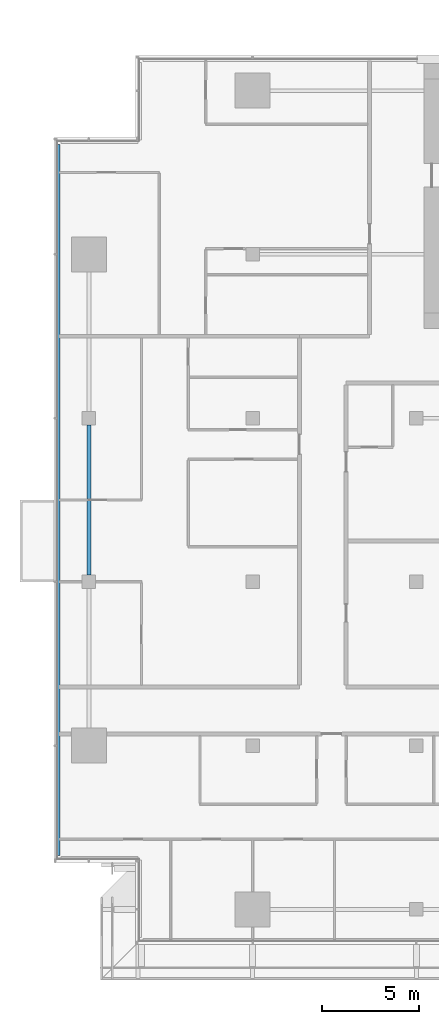
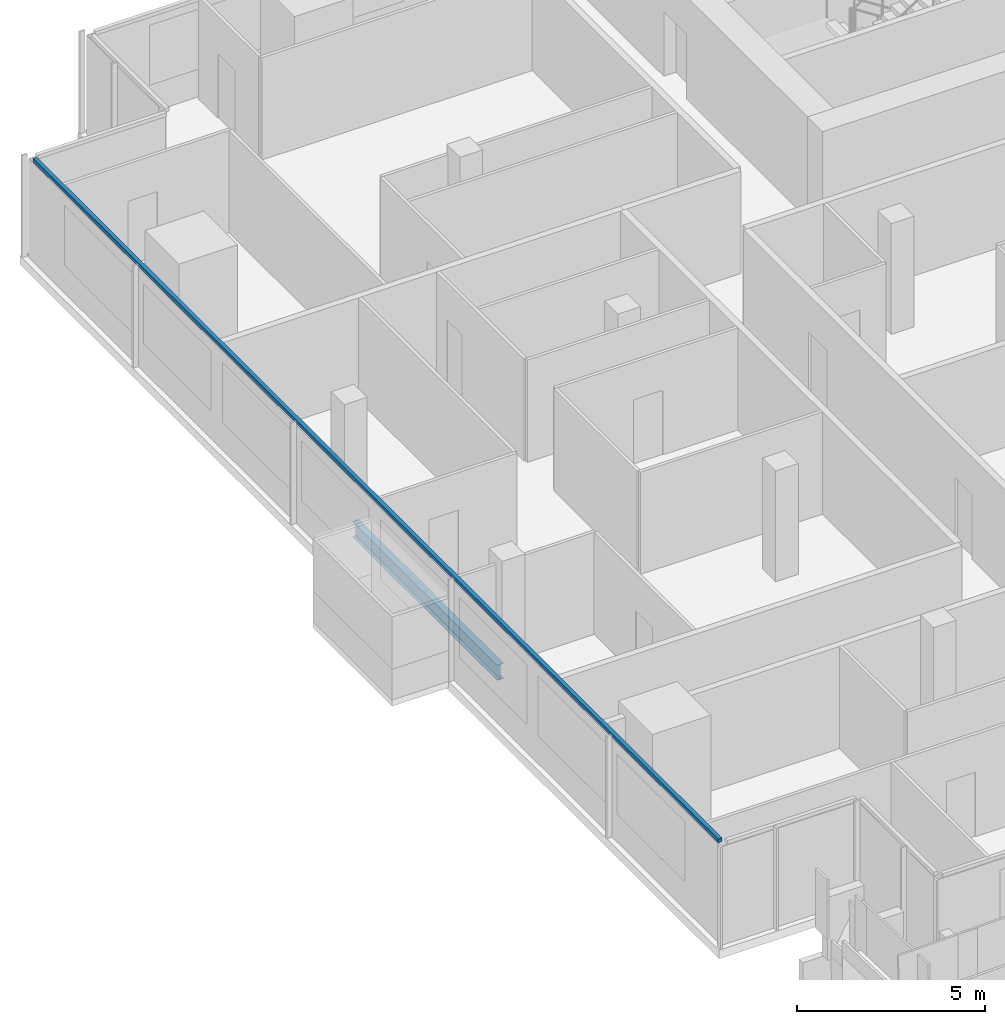
# One storey, part 3 of 30: 1 beam, 1 member, 1 element without a shape of its own.
"""IFC4 building model written with IfcOpenShell, lengths in metres."""

from ifc_helpers import new_model, si_unit, direction, frame, origin, origin_2d, place, context, subcontext, project, spatial, rectangle, i_section, extrude, material, material_profile, profile_set, type_object, element, aggregate, save


model = new_model("IFC4")

# Units and contexts
model_context = context("Model", 3, precision=1e-05, world=origin(), true_north=direction((0.0, 1.0)))
body_context = subcontext(model_context, "Body", "Model", "MODEL_VIEW")
ifc_project = project(units=[si_unit("LENGTHUNIT", "METRE"), si_unit("AREAUNIT", "SQUARE_METRE"), si_unit("VOLUMEUNIT", "CUBIC_METRE"), si_unit("PLANEANGLEUNIT", "RADIAN"), si_unit("MASSUNIT", "GRAM", prefix="KILO")], contexts=[model_context])

# Site, building, storey
site_placement = place(None, origin())
site = spatial("IfcSite", under=ifc_project, at=site_placement, CompositionType="ELEMENT")
building_placement = place(site_placement, origin())
building = spatial("IfcBuilding", under=site, at=building_placement, Name="Saffron Gate Tower", CompositionType="ELEMENT")
storey_placement = place(building_placement, frame((0.0, 0.0, 169.050048828125)))
storey = spatial("IfcBuildingStorey", under=building, at=storey_placement, Name="L41", CompositionType="ELEMENT", Elevation=169.050048828125)

# Beam
ifc_material_1 = material(Name="Structural steel S355", Category="steel")
ifc_material_profile_1 = material_profile(ifc_material_1, i_section(OverallWidth=0.199951171875, OverallDepth=0.5, WebThickness=0.01025390625, FlangeThickness=0.01611328125, FilletRadius=0.02099609375, at=origin_2d()))
ifc_profile_set_1 = profile_set([ifc_material_profile_1], Name="Structural steel S355")
beam_type = type_object("IfcBeamType", Name="B11 IPE 500", PredefinedType="SPANDREL", material=ifc_profile_set_1)
beam_placement = place(storey_placement, frame((49.800048828125, 48.949951171875, -0.530029296875), z_axis=(0.0, 1.0, 0.0), x_axis=(-1.0, 0.0, 0.0)))
element("IfcBeam", 1, at=beam_placement, inside=storey, type_object=beam_type, Name="B11 SPANDREL BEAM", PredefinedType="SPANDREL", context=body_context, shape_type="SweptSolid", body=[
    extrude(i_section(OverallWidth=0.199951171875, OverallDepth=0.5, WebThickness=0.01025390625, FlangeThickness=0.01611328125, FilletRadius=0.02099609375, at=origin_2d()), origin(), (0.0, 0.0, 1.0), 7.699951171875),
])

# Curtain wall, member
ifc_material_2 = material(Name="Aluminium, bronze anodised", Category="aluminium")
curtain_wall_type = type_object("IfcCurtainWallType", Name="CWS2 curtain wall side facades", PredefinedType="NOTDEFINED", material=ifc_material_2)
curtain_wall_placement = place(storey_placement, origin())
curtain_wall = element("IfcCurtainWall", 2, at=curtain_wall_placement, inside=storey, type_object=curtain_wall_type, Name="CWS2 run 10", PredefinedType="NOTDEFINED")
ifc_material_profile_2 = material_profile(ifc_material_2, rectangle(XDim=0.1201171875, YDim=0.1201171875, at=origin_2d()))
ifc_profile_set_2 = profile_set([ifc_material_profile_2], Name="Aluminium, bronze anodised")
member_type = type_object("IfcMemberType", Name="CWS2 head transom", PredefinedType="USERDEFINED", material=ifc_profile_set_2)
member_placement = place(storey_placement, frame((48.248046875, 71.031982421875, 3.260009765625), z_axis=(0.0, -1.0, 0.0), x_axis=(1.0, 0.0, 0.0)))
member = element("IfcMember", 3, at=member_placement, type_object=member_type, Name="CWS2 head transom", ObjectType="TRANSOM", PredefinedType="USERDEFINED", context=body_context, shape_type="SweptSolid", body=[
    extrude(rectangle(XDim=0.1201171875, YDim=0.1201171875, at=origin_2d()), origin(), (0.0, 0.0, 1.0), 36.4638671875),
])
aggregate(curtain_wall, [member])

save(model, "model.ifc")
